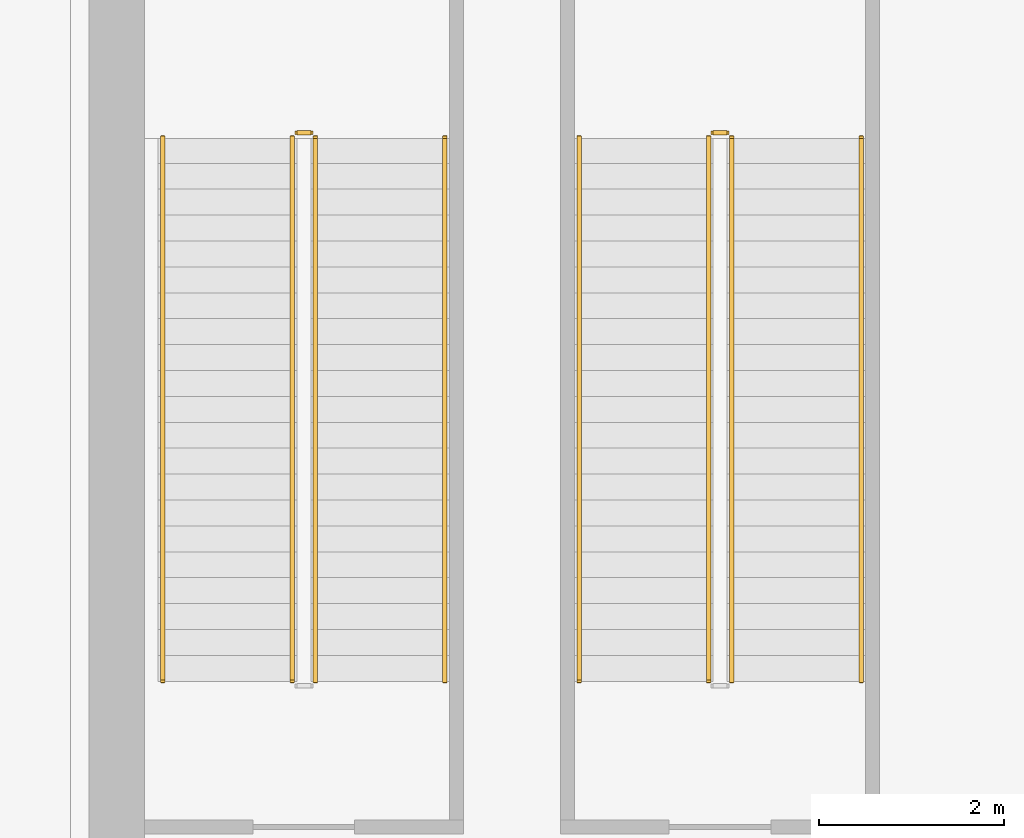
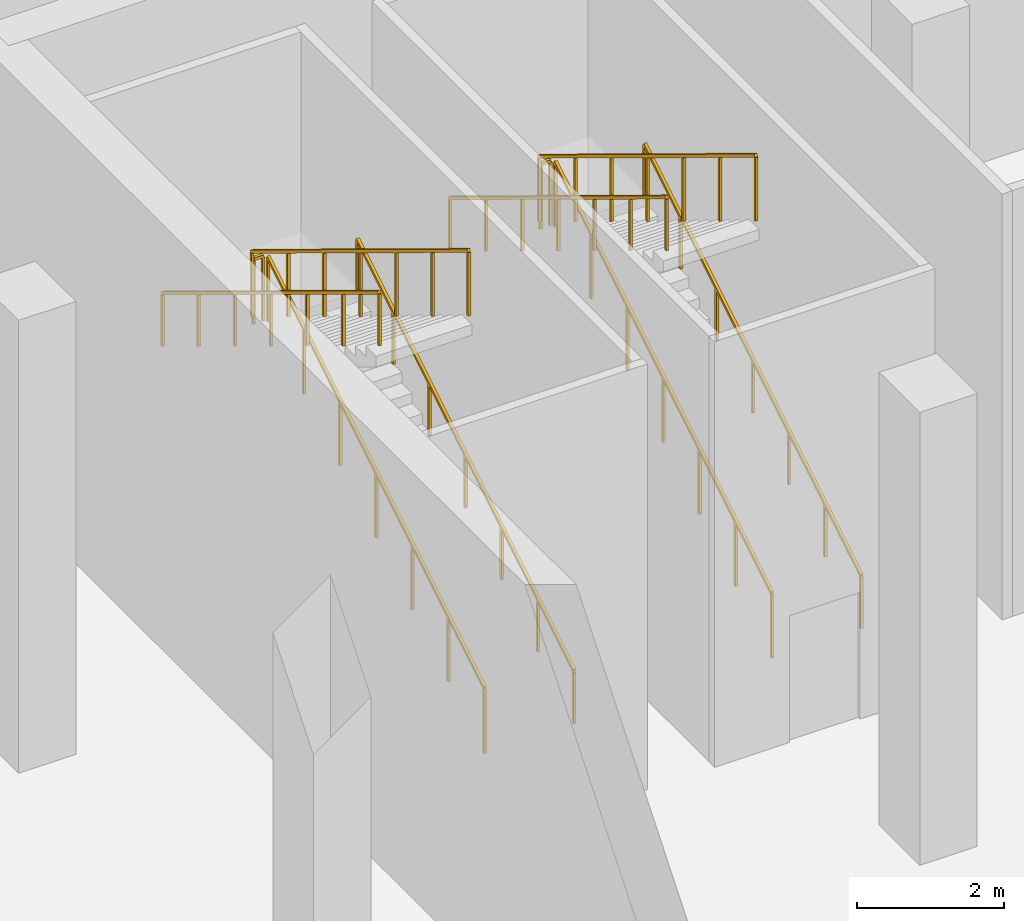
# One storey, part 18 of 19: 10 railings.
"""IFC4 building model written with IfcOpenShell, lengths in metres."""

from ifc_helpers import new_model, si_unit, direction, frame, origin, origin_2d, place, context, subcontext, project, spatial, rectangle, extrude, material, type_object, element, save


model = new_model("IFC4")

# Units and contexts
model_context = context("Model", 3, precision=1e-05, world=origin(), true_north=direction((0.0, 1.0)))
body_context = subcontext(model_context, "Body", "Model", "MODEL_VIEW")
ifc_project = project(units=[si_unit("LENGTHUNIT", "METRE"), si_unit("AREAUNIT", "SQUARE_METRE"), si_unit("VOLUMEUNIT", "CUBIC_METRE"), si_unit("PLANEANGLEUNIT", "RADIAN"), si_unit("MASSUNIT", "GRAM", prefix="KILO")], contexts=[model_context])

# Site, building, storey
site_placement = place(None, origin())
site = spatial("IfcSite", under=ifc_project, at=site_placement, CompositionType="ELEMENT")
building_placement = place(site_placement, origin())
building = spatial("IfcBuilding", under=site, at=building_placement, Name="Alderwake Tower", CompositionType="ELEMENT")
storey_placement = place(building_placement, frame((0.0, 0.0, -14.0)))
storey = spatial("IfcBuildingStorey", under=building, at=storey_placement, Name="B2", CompositionType="ELEMENT", Elevation=-14.0)

# Railings
ifc_material_1 = material(Name="Stainless steel guard", Category="steel")
railing_type_1 = type_object("IfcRailingType", Name="Stair guard 1100", PredefinedType="GUARDRAIL", material=ifc_material_1)
railing_1_placement = place(storey_placement, frame((69.14990234375, 100.5, 0.17041015625)))
element("IfcRailing", 1, at=railing_1_placement, inside=storey, type_object=railing_type_1, Name="B2 ST-S3 stair guard 1", PredefinedType="GUARDRAIL", context=body_context, shape_type="SweptSolid", body=[
    extrude(rectangle(XDim=0.048095703125, YDim=0.048095703125, at=origin_2d()), frame((0.0, 0.0, 1.076171875), z_axis=(0.0, 0.854164310681, 0.520003202259), x_axis=(-1.0, 0.0, 0.0)), (0.0, 0.0, 1.0), 6.8837890625),
    extrude(rectangle(XDim=0.0419921875, YDim=0.0419921875, at=origin_2d()), frame((0.0, 0.0, 0.0), z_axis=(0.0, 0.0, 1.0), x_axis=(0.0, 1.0, 0.0)), (0.0, 0.0, 1.0), 1.052001953125),
    extrude(rectangle(XDim=0.0419921875, YDim=0.0419921875, at=origin_2d()), frame((0.0, 0.97998046875, 0.5966796875), z_axis=(0.0, 0.0, 1.0), x_axis=(0.0, 1.0, 0.0)), (0.0, 0.0, 1.0), 1.052001953125),
    extrude(rectangle(XDim=0.0419921875, YDim=0.0419921875, at=origin_2d()), frame((0.0, 1.9599609375, 1.193115234375), z_axis=(0.0, 0.0, 1.0), x_axis=(0.0, 1.0, 0.0)), (0.0, 0.0, 1.0), 1.052001953125),
    extrude(rectangle(XDim=0.0419921875, YDim=0.0419921875, at=origin_2d()), frame((0.0, 2.93994140625, 1.789794921875), z_axis=(0.0, 0.0, 1.0), x_axis=(0.0, 1.0, 0.0)), (0.0, 0.0, 1.0), 1.052001953125),
    extrude(rectangle(XDim=0.0419921875, YDim=0.0419921875, at=origin_2d()), frame((0.0, 3.919921875, 2.386474609375), z_axis=(0.0, 0.0, 1.0), x_axis=(0.0, 1.0, 0.0)), (0.0, 0.0, 1.0), 1.052001953125),
    extrude(rectangle(XDim=0.0419921875, YDim=0.0419921875, at=origin_2d()), frame((0.0, 4.89990234375, 2.98291015625), z_axis=(0.0, 0.0, 1.0), x_axis=(0.0, 1.0, 0.0)), (0.0, 0.0, 1.0), 1.052001953125),
    extrude(rectangle(XDim=0.0419921875, YDim=0.0419921875, at=origin_2d()), frame((0.0, 5.8798828125, 3.57958984375), z_axis=(0.0, 0.0, 1.0), x_axis=(0.0, 1.0, 0.0)), (0.0, 0.0, 1.0), 1.052001953125),
])
railing_2_placement = place(storey_placement, frame((69.10009765625, 106.429931640625, 3.75)))
element("IfcRailing", 2, at=railing_2_placement, inside=storey, type_object=railing_type_1, Name="B2 ST-S3 stair guard 2", PredefinedType="GUARDRAIL", context=body_context, shape_type="SweptSolid", body=[
    extrude(rectangle(XDim=0.048095703125, YDim=0.048095703125, at=origin_2d()), frame((0.0, 0.0, 1.076171875), z_axis=(-1.0, 0.0, 0.0), x_axis=(0.0, -1.0, 0.0)), (0.0, 0.0, 1.0), 0.150146484375),
    extrude(rectangle(XDim=0.0419921875, YDim=0.0419921875, at=origin_2d()), frame((0.0, 0.0, 0.0), z_axis=(0.0, 0.0, 1.0), x_axis=(-1.0, 0.0, 0.0)), (0.0, 0.0, 1.0), 1.052001953125),
    extrude(rectangle(XDim=0.0419921875, YDim=0.0419921875, at=origin_2d()), frame((-0.150146484375, 0.0, 0.0), z_axis=(0.0, 0.0, 1.0), x_axis=(-1.0, 0.0, 0.0)), (0.0, 0.0, 1.0), 1.052001953125),
])
railing_3_placement = place(storey_placement, frame((68.89990234375, 106.3798828125, 3.92041015625)))
element("IfcRailing", 3, at=railing_3_placement, inside=storey, type_object=railing_type_1, Name="B2 ST-S3 stair guard 3", PredefinedType="GUARDRAIL", context=body_context, shape_type="SweptSolid", body=[
    extrude(rectangle(XDim=0.048095703125, YDim=0.048095703125, at=origin_2d()), frame((0.0, 0.0, 1.076171875), z_axis=(0.0, -0.854164310681, 0.520003202259), x_axis=(1.0, 0.0, 0.0)), (0.0, 0.0, 1.0), 6.8837890625),
    extrude(rectangle(XDim=0.0419921875, YDim=0.0419921875, at=origin_2d()), frame((0.0, 0.0, 0.0), z_axis=(0.0, 0.0, 1.0), x_axis=(0.0, -1.0, 0.0)), (0.0, 0.0, 1.0), 1.052001953125),
    extrude(rectangle(XDim=0.0419921875, YDim=0.0419921875, at=origin_2d()), frame((0.0, -0.97998046875, 0.5966796875), z_axis=(0.0, 0.0, 1.0), x_axis=(0.0, -1.0, 0.0)), (0.0, 0.0, 1.0), 1.052001953125),
    extrude(rectangle(XDim=0.0419921875, YDim=0.0419921875, at=origin_2d()), frame((0.0, -1.9599609375, 1.193115234375), z_axis=(0.0, 0.0, 1.0), x_axis=(0.0, -1.0, 0.0)), (0.0, 0.0, 1.0), 1.052001953125),
    extrude(rectangle(XDim=0.0419921875, YDim=0.0419921875, at=origin_2d()), frame((0.0, -2.93994140625, 1.789794921875), z_axis=(0.0, 0.0, 1.0), x_axis=(0.0, -1.0, 0.0)), (0.0, 0.0, 1.0), 1.052001953125),
    extrude(rectangle(XDim=0.0419921875, YDim=0.0419921875, at=origin_2d()), frame((0.0, -3.919921875, 2.386474609375), z_axis=(0.0, 0.0, 1.0), x_axis=(0.0, -1.0, 0.0)), (0.0, 0.0, 1.0), 1.052001953125),
    extrude(rectangle(XDim=0.0419921875, YDim=0.0419921875, at=origin_2d()), frame((0.0, -4.89990234375, 2.98291015625), z_axis=(0.0, 0.0, 1.0), x_axis=(0.0, -1.0, 0.0)), (0.0, 0.0, 1.0), 1.052001953125),
    extrude(rectangle(XDim=0.0419921875, YDim=0.0419921875, at=origin_2d()), frame((0.0, -5.8798828125, 3.57958984375), z_axis=(0.0, 0.0, 1.0), x_axis=(0.0, -1.0, 0.0)), (0.0, 0.0, 1.0), 1.052001953125),
])
railing_4_placement = place(storey_placement, frame((73.64990234375, 100.5, 0.17041015625)))
element("IfcRailing", 4, at=railing_4_placement, inside=storey, type_object=railing_type_1, Name="B2 ST-S4 stair guard 1", PredefinedType="GUARDRAIL", context=body_context, shape_type="SweptSolid", body=[
    extrude(rectangle(XDim=0.048095703125, YDim=0.048095703125, at=origin_2d()), frame((0.0, 0.0, 1.076171875), z_axis=(0.0, 0.854164310681, 0.520003202259), x_axis=(-1.0, 0.0, 0.0)), (0.0, 0.0, 1.0), 6.8837890625),
    extrude(rectangle(XDim=0.0419921875, YDim=0.0419921875, at=origin_2d()), frame((0.0, 0.0, 0.0), z_axis=(0.0, 0.0, 1.0), x_axis=(0.0, 1.0, 0.0)), (0.0, 0.0, 1.0), 1.052001953125),
    extrude(rectangle(XDim=0.0419921875, YDim=0.0419921875, at=origin_2d()), frame((0.0, 0.97998046875, 0.5966796875), z_axis=(0.0, 0.0, 1.0), x_axis=(0.0, 1.0, 0.0)), (0.0, 0.0, 1.0), 1.052001953125),
    extrude(rectangle(XDim=0.0419921875, YDim=0.0419921875, at=origin_2d()), frame((0.0, 1.9599609375, 1.193115234375), z_axis=(0.0, 0.0, 1.0), x_axis=(0.0, 1.0, 0.0)), (0.0, 0.0, 1.0), 1.052001953125),
    extrude(rectangle(XDim=0.0419921875, YDim=0.0419921875, at=origin_2d()), frame((0.0, 2.93994140625, 1.789794921875), z_axis=(0.0, 0.0, 1.0), x_axis=(0.0, 1.0, 0.0)), (0.0, 0.0, 1.0), 1.052001953125),
    extrude(rectangle(XDim=0.0419921875, YDim=0.0419921875, at=origin_2d()), frame((0.0, 3.919921875, 2.386474609375), z_axis=(0.0, 0.0, 1.0), x_axis=(0.0, 1.0, 0.0)), (0.0, 0.0, 1.0), 1.052001953125),
    extrude(rectangle(XDim=0.0419921875, YDim=0.0419921875, at=origin_2d()), frame((0.0, 4.89990234375, 2.98291015625), z_axis=(0.0, 0.0, 1.0), x_axis=(0.0, 1.0, 0.0)), (0.0, 0.0, 1.0), 1.052001953125),
    extrude(rectangle(XDim=0.0419921875, YDim=0.0419921875, at=origin_2d()), frame((0.0, 5.8798828125, 3.57958984375), z_axis=(0.0, 0.0, 1.0), x_axis=(0.0, 1.0, 0.0)), (0.0, 0.0, 1.0), 1.052001953125),
])
railing_5_placement = place(storey_placement, frame((73.60009765625, 106.429931640625, 3.75)))
element("IfcRailing", 5, at=railing_5_placement, inside=storey, type_object=railing_type_1, Name="B2 ST-S4 stair guard 2", PredefinedType="GUARDRAIL", context=body_context, shape_type="SweptSolid", body=[
    extrude(rectangle(XDim=0.048095703125, YDim=0.048095703125, at=origin_2d()), frame((0.0, 0.0, 1.076171875), z_axis=(-1.0, 0.0, 0.0), x_axis=(0.0, -1.0, 0.0)), (0.0, 0.0, 1.0), 0.150146484375),
    extrude(rectangle(XDim=0.0419921875, YDim=0.0419921875, at=origin_2d()), frame((0.0, 0.0, 0.0), z_axis=(0.0, 0.0, 1.0), x_axis=(-1.0, 0.0, 0.0)), (0.0, 0.0, 1.0), 1.052001953125),
    extrude(rectangle(XDim=0.0419921875, YDim=0.0419921875, at=origin_2d()), frame((-0.150146484375, 0.0, 0.0), z_axis=(0.0, 0.0, 1.0), x_axis=(-1.0, 0.0, 0.0)), (0.0, 0.0, 1.0), 1.052001953125),
])
railing_6_placement = place(storey_placement, frame((73.39990234375, 106.3798828125, 3.92041015625)))
element("IfcRailing", 6, at=railing_6_placement, inside=storey, type_object=railing_type_1, Name="B2 ST-S4 stair guard 3", PredefinedType="GUARDRAIL", context=body_context, shape_type="SweptSolid", body=[
    extrude(rectangle(XDim=0.048095703125, YDim=0.048095703125, at=origin_2d()), frame((0.0, 0.0, 1.076171875), z_axis=(0.0, -0.854164310681, 0.520003202259), x_axis=(1.0, 0.0, 0.0)), (0.0, 0.0, 1.0), 6.8837890625),
    extrude(rectangle(XDim=0.0419921875, YDim=0.0419921875, at=origin_2d()), frame((0.0, 0.0, 0.0), z_axis=(0.0, 0.0, 1.0), x_axis=(0.0, -1.0, 0.0)), (0.0, 0.0, 1.0), 1.052001953125),
    extrude(rectangle(XDim=0.0419921875, YDim=0.0419921875, at=origin_2d()), frame((0.0, -0.97998046875, 0.5966796875), z_axis=(0.0, 0.0, 1.0), x_axis=(0.0, -1.0, 0.0)), (0.0, 0.0, 1.0), 1.052001953125),
    extrude(rectangle(XDim=0.0419921875, YDim=0.0419921875, at=origin_2d()), frame((0.0, -1.9599609375, 1.193115234375), z_axis=(0.0, 0.0, 1.0), x_axis=(0.0, -1.0, 0.0)), (0.0, 0.0, 1.0), 1.052001953125),
    extrude(rectangle(XDim=0.0419921875, YDim=0.0419921875, at=origin_2d()), frame((0.0, -2.93994140625, 1.789794921875), z_axis=(0.0, 0.0, 1.0), x_axis=(0.0, -1.0, 0.0)), (0.0, 0.0, 1.0), 1.052001953125),
    extrude(rectangle(XDim=0.0419921875, YDim=0.0419921875, at=origin_2d()), frame((0.0, -3.919921875, 2.386474609375), z_axis=(0.0, 0.0, 1.0), x_axis=(0.0, -1.0, 0.0)), (0.0, 0.0, 1.0), 1.052001953125),
    extrude(rectangle(XDim=0.0419921875, YDim=0.0419921875, at=origin_2d()), frame((0.0, -4.89990234375, 2.98291015625), z_axis=(0.0, 0.0, 1.0), x_axis=(0.0, -1.0, 0.0)), (0.0, 0.0, 1.0), 1.052001953125),
    extrude(rectangle(XDim=0.0419921875, YDim=0.0419921875, at=origin_2d()), frame((0.0, -5.8798828125, 3.57958984375), z_axis=(0.0, 0.0, 1.0), x_axis=(0.0, -1.0, 0.0)), (0.0, 0.0, 1.0), 1.052001953125),
])
ifc_material_2 = material(Name="Stainless steel handrail", Category="steel")
railing_type_2 = type_object("IfcRailingType", Name="Stair handrail 900", PredefinedType="HANDRAIL", material=ifc_material_2)
railing_7_placement = place(storey_placement, frame((70.550048828125, 100.5, 0.17041015625)))
element("IfcRailing", 7, at=railing_7_placement, inside=storey, type_object=railing_type_2, Name="B2 ST-S3 stair handrail 1", PredefinedType="HANDRAIL", context=body_context, shape_type="SweptSolid", body=[
    extrude(rectangle(XDim=0.048095703125, YDim=0.048095703125, at=origin_2d()), frame((0.0, 0.0, 0.8759765625), z_axis=(0.0, 0.854164310681, 0.520003202259), x_axis=(-1.0, 0.0, 0.0)), (0.0, 0.0, 1.0), 6.8837890625),
    extrude(rectangle(XDim=0.0419921875, YDim=0.0419921875, at=origin_2d()), frame((0.0, 0.0, 0.0), z_axis=(0.0, 0.0, 1.0), x_axis=(0.0, 1.0, 0.0)), (0.0, 0.0, 1.0), 0.851806640625),
    extrude(rectangle(XDim=0.0419921875, YDim=0.0419921875, at=origin_2d()), frame((0.0, 0.97998046875, 0.5966796875), z_axis=(0.0, 0.0, 1.0), x_axis=(0.0, 1.0, 0.0)), (0.0, 0.0, 1.0), 0.851806640625),
    extrude(rectangle(XDim=0.0419921875, YDim=0.0419921875, at=origin_2d()), frame((0.0, 1.9599609375, 1.193115234375), z_axis=(0.0, 0.0, 1.0), x_axis=(0.0, 1.0, 0.0)), (0.0, 0.0, 1.0), 0.851806640625),
    extrude(rectangle(XDim=0.0419921875, YDim=0.0419921875, at=origin_2d()), frame((0.0, 2.93994140625, 1.789794921875), z_axis=(0.0, 0.0, 1.0), x_axis=(0.0, 1.0, 0.0)), (0.0, 0.0, 1.0), 0.851806640625),
    extrude(rectangle(XDim=0.0419921875, YDim=0.0419921875, at=origin_2d()), frame((0.0, 3.919921875, 2.386474609375), z_axis=(0.0, 0.0, 1.0), x_axis=(0.0, 1.0, 0.0)), (0.0, 0.0, 1.0), 0.851806640625),
    extrude(rectangle(XDim=0.0419921875, YDim=0.0419921875, at=origin_2d()), frame((0.0, 4.89990234375, 2.98291015625), z_axis=(0.0, 0.0, 1.0), x_axis=(0.0, 1.0, 0.0)), (0.0, 0.0, 1.0), 0.851806640625),
    extrude(rectangle(XDim=0.0419921875, YDim=0.0419921875, at=origin_2d()), frame((0.0, 5.8798828125, 3.57958984375), z_axis=(0.0, 0.0, 1.0), x_axis=(0.0, 1.0, 0.0)), (0.0, 0.0, 1.0), 0.851806640625),
])
railing_8_placement = place(storey_placement, frame((67.5, 106.3798828125, 3.92041015625)))
element("IfcRailing", 8, at=railing_8_placement, inside=storey, type_object=railing_type_2, Name="B2 ST-S3 stair handrail 2", PredefinedType="HANDRAIL", context=body_context, shape_type="SweptSolid", body=[
    extrude(rectangle(XDim=0.048095703125, YDim=0.048095703125, at=origin_2d()), frame((0.0, 0.0, 0.8759765625), z_axis=(0.0, -0.854164310681, 0.520003202259), x_axis=(1.0, 0.0, 0.0)), (0.0, 0.0, 1.0), 6.8837890625),
    extrude(rectangle(XDim=0.0419921875, YDim=0.0419921875, at=origin_2d()), frame((0.0, 0.0, 0.0), z_axis=(0.0, 0.0, 1.0), x_axis=(0.0, -1.0, 0.0)), (0.0, 0.0, 1.0), 0.851806640625),
    extrude(rectangle(XDim=0.0419921875, YDim=0.0419921875, at=origin_2d()), frame((0.0, -0.97998046875, 0.5966796875), z_axis=(0.0, 0.0, 1.0), x_axis=(0.0, -1.0, 0.0)), (0.0, 0.0, 1.0), 0.851806640625),
    extrude(rectangle(XDim=0.0419921875, YDim=0.0419921875, at=origin_2d()), frame((0.0, -1.9599609375, 1.193115234375), z_axis=(0.0, 0.0, 1.0), x_axis=(0.0, -1.0, 0.0)), (0.0, 0.0, 1.0), 0.851806640625),
    extrude(rectangle(XDim=0.0419921875, YDim=0.0419921875, at=origin_2d()), frame((0.0, -2.93994140625, 1.789794921875), z_axis=(0.0, 0.0, 1.0), x_axis=(0.0, -1.0, 0.0)), (0.0, 0.0, 1.0), 0.851806640625),
    extrude(rectangle(XDim=0.0419921875, YDim=0.0419921875, at=origin_2d()), frame((0.0, -3.919921875, 2.386474609375), z_axis=(0.0, 0.0, 1.0), x_axis=(0.0, -1.0, 0.0)), (0.0, 0.0, 1.0), 0.851806640625),
    extrude(rectangle(XDim=0.0419921875, YDim=0.0419921875, at=origin_2d()), frame((0.0, -4.89990234375, 2.98291015625), z_axis=(0.0, 0.0, 1.0), x_axis=(0.0, -1.0, 0.0)), (0.0, 0.0, 1.0), 0.851806640625),
    extrude(rectangle(XDim=0.0419921875, YDim=0.0419921875, at=origin_2d()), frame((0.0, -5.8798828125, 3.57958984375), z_axis=(0.0, 0.0, 1.0), x_axis=(0.0, -1.0, 0.0)), (0.0, 0.0, 1.0), 0.851806640625),
])
railing_9_placement = place(storey_placement, frame((75.050048828125, 100.5, 0.17041015625)))
element("IfcRailing", 9, at=railing_9_placement, inside=storey, type_object=railing_type_2, Name="B2 ST-S4 stair handrail 1", PredefinedType="HANDRAIL", context=body_context, shape_type="SweptSolid", body=[
    extrude(rectangle(XDim=0.048095703125, YDim=0.048095703125, at=origin_2d()), frame((0.0, 0.0, 0.8759765625), z_axis=(0.0, 0.854164310681, 0.520003202259), x_axis=(-1.0, 0.0, 0.0)), (0.0, 0.0, 1.0), 6.8837890625),
    extrude(rectangle(XDim=0.0419921875, YDim=0.0419921875, at=origin_2d()), frame((0.0, 0.0, 0.0), z_axis=(0.0, 0.0, 1.0), x_axis=(0.0, 1.0, 0.0)), (0.0, 0.0, 1.0), 0.851806640625),
    extrude(rectangle(XDim=0.0419921875, YDim=0.0419921875, at=origin_2d()), frame((0.0, 0.97998046875, 0.5966796875), z_axis=(0.0, 0.0, 1.0), x_axis=(0.0, 1.0, 0.0)), (0.0, 0.0, 1.0), 0.851806640625),
    extrude(rectangle(XDim=0.0419921875, YDim=0.0419921875, at=origin_2d()), frame((0.0, 1.9599609375, 1.193115234375), z_axis=(0.0, 0.0, 1.0), x_axis=(0.0, 1.0, 0.0)), (0.0, 0.0, 1.0), 0.851806640625),
    extrude(rectangle(XDim=0.0419921875, YDim=0.0419921875, at=origin_2d()), frame((0.0, 2.93994140625, 1.789794921875), z_axis=(0.0, 0.0, 1.0), x_axis=(0.0, 1.0, 0.0)), (0.0, 0.0, 1.0), 0.851806640625),
    extrude(rectangle(XDim=0.0419921875, YDim=0.0419921875, at=origin_2d()), frame((0.0, 3.919921875, 2.386474609375), z_axis=(0.0, 0.0, 1.0), x_axis=(0.0, 1.0, 0.0)), (0.0, 0.0, 1.0), 0.851806640625),
    extrude(rectangle(XDim=0.0419921875, YDim=0.0419921875, at=origin_2d()), frame((0.0, 4.89990234375, 2.98291015625), z_axis=(0.0, 0.0, 1.0), x_axis=(0.0, 1.0, 0.0)), (0.0, 0.0, 1.0), 0.851806640625),
    extrude(rectangle(XDim=0.0419921875, YDim=0.0419921875, at=origin_2d()), frame((0.0, 5.8798828125, 3.57958984375), z_axis=(0.0, 0.0, 1.0), x_axis=(0.0, 1.0, 0.0)), (0.0, 0.0, 1.0), 0.851806640625),
])
railing_10_placement = place(storey_placement, frame((72.0, 106.3798828125, 3.92041015625)))
element("IfcRailing", 10, at=railing_10_placement, inside=storey, type_object=railing_type_2, Name="B2 ST-S4 stair handrail 2", PredefinedType="HANDRAIL", context=body_context, shape_type="SweptSolid", body=[
    extrude(rectangle(XDim=0.048095703125, YDim=0.048095703125, at=origin_2d()), frame((0.0, 0.0, 0.8759765625), z_axis=(0.0, -0.854164310681, 0.520003202259), x_axis=(1.0, 0.0, 0.0)), (0.0, 0.0, 1.0), 6.8837890625),
    extrude(rectangle(XDim=0.0419921875, YDim=0.0419921875, at=origin_2d()), frame((0.0, 0.0, 0.0), z_axis=(0.0, 0.0, 1.0), x_axis=(0.0, -1.0, 0.0)), (0.0, 0.0, 1.0), 0.851806640625),
    extrude(rectangle(XDim=0.0419921875, YDim=0.0419921875, at=origin_2d()), frame((0.0, -0.97998046875, 0.5966796875), z_axis=(0.0, 0.0, 1.0), x_axis=(0.0, -1.0, 0.0)), (0.0, 0.0, 1.0), 0.851806640625),
    extrude(rectangle(XDim=0.0419921875, YDim=0.0419921875, at=origin_2d()), frame((0.0, -1.9599609375, 1.193115234375), z_axis=(0.0, 0.0, 1.0), x_axis=(0.0, -1.0, 0.0)), (0.0, 0.0, 1.0), 0.851806640625),
    extrude(rectangle(XDim=0.0419921875, YDim=0.0419921875, at=origin_2d()), frame((0.0, -2.93994140625, 1.789794921875), z_axis=(0.0, 0.0, 1.0), x_axis=(0.0, -1.0, 0.0)), (0.0, 0.0, 1.0), 0.851806640625),
    extrude(rectangle(XDim=0.0419921875, YDim=0.0419921875, at=origin_2d()), frame((0.0, -3.919921875, 2.386474609375), z_axis=(0.0, 0.0, 1.0), x_axis=(0.0, -1.0, 0.0)), (0.0, 0.0, 1.0), 0.851806640625),
    extrude(rectangle(XDim=0.0419921875, YDim=0.0419921875, at=origin_2d()), frame((0.0, -4.89990234375, 2.98291015625), z_axis=(0.0, 0.0, 1.0), x_axis=(0.0, -1.0, 0.0)), (0.0, 0.0, 1.0), 0.851806640625),
    extrude(rectangle(XDim=0.0419921875, YDim=0.0419921875, at=origin_2d()), frame((0.0, -5.8798828125, 3.57958984375), z_axis=(0.0, 0.0, 1.0), x_axis=(0.0, -1.0, 0.0)), (0.0, 0.0, 1.0), 0.851806640625),
])

save(model, "model.ifc")
